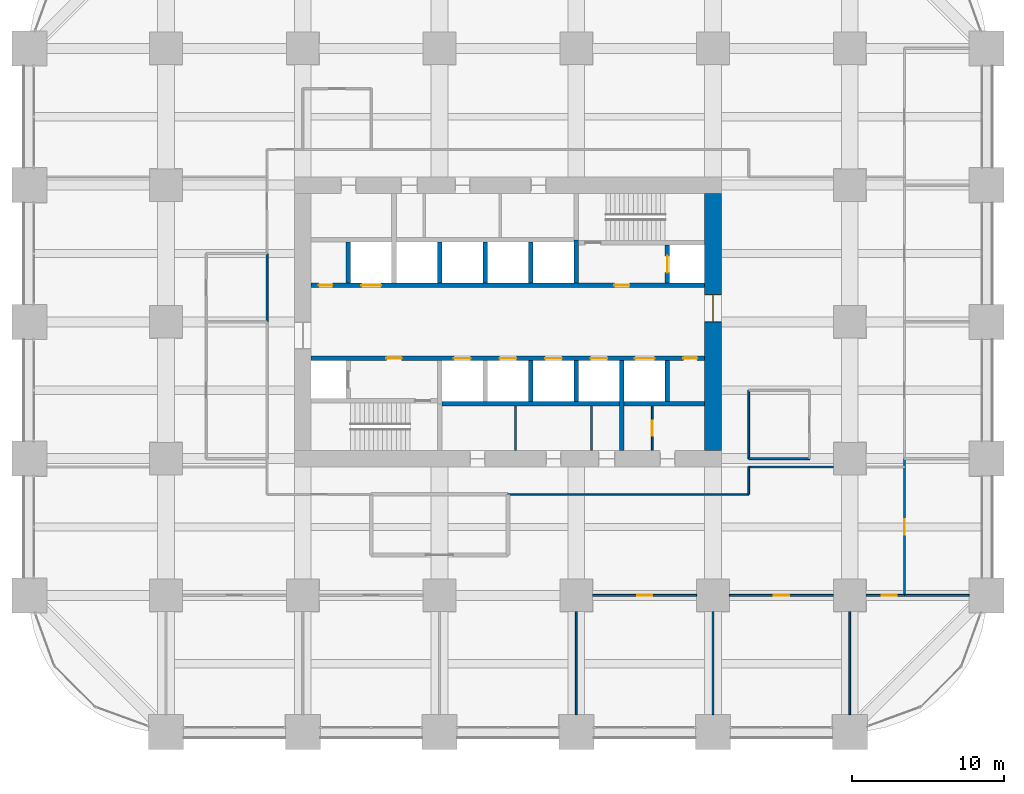
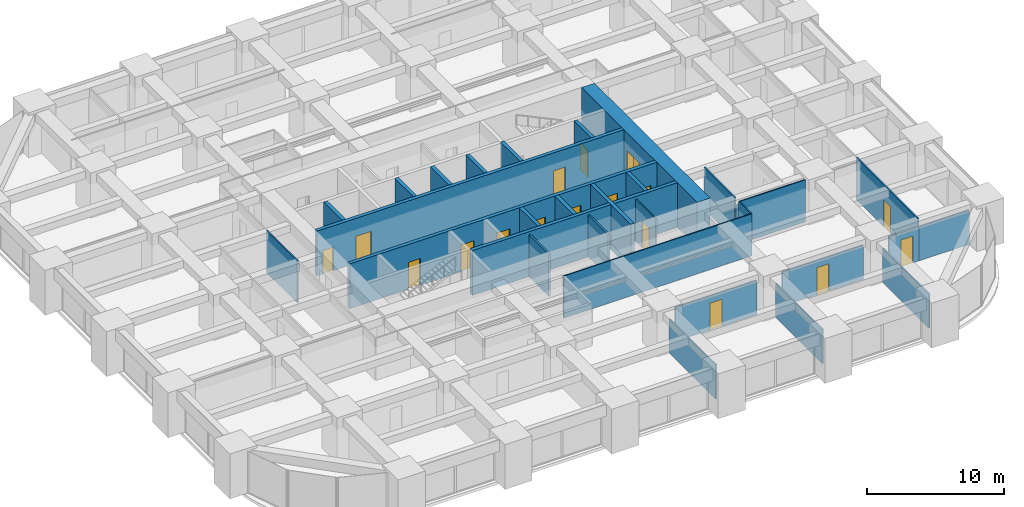
# One storey, part 40 of 44: 31 walls, 17 doors, 17 openings.
"""IFC4 building model written with IfcOpenShell, lengths in metres."""

from ifc_helpers import new_model, si_unit, direction, frame, frame_2d, origin, place, context, subcontext, project, spatial, rectangle, extrude, material, layer, layer_set, type_object, element, fill, save


model = new_model("IFC4")

# Units and contexts
model_context = context("Model", 3, precision=1e-05, world=origin(), true_north=direction((0.0, 1.0)))
body_context = subcontext(model_context, "Body", "Model", "MODEL_VIEW")
ifc_project = project(units=[si_unit("LENGTHUNIT", "METRE"), si_unit("AREAUNIT", "SQUARE_METRE"), si_unit("VOLUMEUNIT", "CUBIC_METRE"), si_unit("PLANEANGLEUNIT", "RADIAN"), si_unit("MASSUNIT", "GRAM", prefix="KILO")], contexts=[model_context])

# Site, building, storey
site_placement = place(None, origin())
site = spatial("IfcSite", under=ifc_project, at=site_placement, CompositionType="ELEMENT")
building_placement = place(site_placement, origin())
building = spatial("IfcBuilding", under=site, at=building_placement, Name="Zorevar Civic Tower", CompositionType="ELEMENT")
storey_placement = place(building_placement, frame((0.0, 0.0, 51.800048828125)))
storey = spatial("IfcBuildingStorey", under=building, at=storey_placement, Name="L12", CompositionType="ELEMENT", Elevation=51.800048828125)

# Wall, opening, door
ifc_material_1 = material(Name="Concrete C50/60", Category="concrete")
ifc_layer_1 = layer(ifc_material_1, 1.10009765625)
ifc_layer_set_1 = layer_set([ifc_layer_1], Name="Core wall 1100")
wall_type_1 = type_object("IfcWallType", Name="Core wall 1100", PredefinedType="SHEAR", material=ifc_layer_set_1)
wall_1_placement = place(storey_placement, frame((45.0, 18.550048828125, 0.0), z_axis=(0.0, 0.0, 1.0), x_axis=(0.0, 1.0, 0.0)))
wall_1 = element("IfcWall", 1, at=wall_1_placement, inside=storey, type_object=wall_type_1, Name="Core wall E L12", PredefinedType="SHEAR", context=body_context, shape_type="SweptSolid", body=[
    extrude(rectangle(XDim=16.89990234375, YDim=1.10009765625, at=frame_2d((8.449951171875, 0.0))), origin(), (0.0, 0.0, 1.0), 4.0),
])
opening_1_placement = place(wall_1_placement, frame((8.449951171875, 0.0, 0.0)))
opening_1 = element("IfcOpeningElement", 2, at=opening_1_placement, cuts=wall_1, Name="Opening L12.02", PredefinedType="OPENING", context=body_context, shape_type="SweptSolid", body=[
    extrude(rectangle(XDim=1.800048828125, YDim=2.39990234375, at=frame_2d((0.89990234375, 1.199951171875))), frame((0.0, 0.56005859375, 0.0), z_axis=(0.0, -1.0, 0.0), x_axis=(1.0, 0.0, 0.0)), (0.0, 0.0, 1.0), 1.1201171875),
])
ifc_material_2 = material(Name="Steel door set", Category="steel")
door_type_1 = type_object("IfcDoorType", Name="Fire door FD2 1800x2400", OperationType="DOUBLE_DOOR_DOUBLE_SWING", PredefinedType="DOOR", material=ifc_material_2)
door_1_placement = place(opening_1_placement, origin())
door_1 = element("IfcDoor", 3, at=door_1_placement, inside=storey, type_object=door_type_1, Name="Door L12 01", OperationType="DOUBLE_DOOR_DOUBLE_SWING", OverallHeight=2.39990234375, OverallWidth=1.800048828125, PredefinedType="DOOR", context=body_context, shape_type="SweptSolid", body=[
    extrude(rectangle(XDim=1.800048828125, YDim=2.39990234375, at=frame_2d((0.89990234375, 1.199951171875))), frame((0.0, 0.030029296875, 0.0), z_axis=(0.0, -1.0, 0.0), x_axis=(1.0, 0.0, 0.0)), (0.0, 0.0, 1.0), 0.06005859375),
    extrude(rectangle(XDim=0.04, YDim=2.39990234375, at=frame_2d((0.02001953125, 1.199951171875))), frame((0.0, 0.5498046875, 0.0), z_axis=(0.0, -1.0, 0.0), x_axis=(1.0, 0.0, 0.0)), (0.0, 0.0, 1.0), 1.099609375),
    extrude(rectangle(XDim=0.04, YDim=2.39990234375, at=frame_2d((1.780029296875, 1.199951171875))), frame((0.0, 0.5498046875, 0.0), z_axis=(0.0, -1.0, 0.0), x_axis=(1.0, 0.0, 0.0)), (0.0, 0.0, 1.0), 1.099609375),
    extrude(rectangle(XDim=1.800048828125, YDim=0.04, at=frame_2d((0.89990234375, 2.3798828125))), frame((0.0, 0.5498046875, 0.0), z_axis=(0.0, -1.0, 0.0), x_axis=(1.0, 0.0, 0.0)), (0.0, 0.0, 1.0), 1.099609375),
])
fill(opening_1, door_1)

# Walls
ifc_material_3 = material(Name="Laminated glass in black aluminium frame", Category="aluminium")
ifc_layer_2 = layer(ifc_material_3, 0.10009765625)
ifc_layer_set_2 = layer_set([ifc_layer_2], Name="Glazed partition 100")
wall_type_2 = type_object("IfcWallType", Name="Glazed partition 100", PredefinedType="PARTITIONING", material=ifc_layer_set_2)
wall_2_placement = place(storey_placement, frame((31.5, 15.64990234375, 0.0), z_axis=(0.0, 0.0, 1.0), x_axis=(1.0, 0.0, 0.0)))
element("IfcWall", 4, at=wall_2_placement, inside=storey, type_object=wall_type_2, Name="Glazed partition 100 L12", PredefinedType="PARTITIONING", context=body_context, shape_type="SweptSolid", body=[
    extrude(rectangle(XDim=15.85009765625, YDim=0.10009765625, at=frame_2d((7.925048828125, 0.0))), origin(), (0.0, 0.0, 1.0), 3.75),
])
wall_3_placement = place(storey_placement, frame((47.35009765625, 17.449951171875, 0.0), z_axis=(0.0, 0.0, 1.0), x_axis=(1.0, 0.0, 0.0)))
element("IfcWall", 5, at=wall_3_placement, inside=storey, type_object=wall_type_2, Name="Glazed partition 100 L12", PredefinedType="PARTITIONING", context=body_context, shape_type="SweptSolid", body=[
    extrude(rectangle(XDim=5.574951171875, YDim=0.10009765625, at=frame_2d((2.78759765625, 0.0))), origin(), (0.0, 0.0, 1.0), 3.75),
])
wall_4_placement = place(storey_placement, frame((47.35009765625, 15.64990234375, 0.0), z_axis=(0.0, 0.0, 1.0), x_axis=(0.0, 1.0, 0.0)))
element("IfcWall", 6, at=wall_4_placement, inside=storey, type_object=wall_type_2, Name="Glazed partition 100 L12", PredefinedType="PARTITIONING", context=body_context, shape_type="SweptSolid", body=[
    extrude(rectangle(XDim=1.800048828125, YDim=0.10009765625, at=frame_2d((0.89990234375, 0.0))), origin(), (0.0, 0.0, 1.0), 3.75),
])

# Wall, opening, door
ifc_material_4 = material(Name="Concrete C40/50", Category="concrete")
ifc_layer_3 = layer(ifc_material_4, 0.300048828125)
ifc_layer_set_3 = layer_set([ifc_layer_3], Name="Inner core wall 300")
wall_type_3 = type_object("IfcWallType", Name="Inner core wall 300", PredefinedType="SHEAR", material=ifc_layer_set_3)
wall_5_placement = place(storey_placement, frame((42.0, 29.550048828125, 0.0), z_axis=(0.0, 0.0, 1.0), x_axis=(0.0, 1.0, 0.0)))
wall_5 = element("IfcWall", 7, at=wall_5_placement, inside=storey, type_object=wall_type_3, Name="Inner core wall N02 L12", PredefinedType="SHEAR", context=body_context, shape_type="SweptSolid", body=[
    extrude(rectangle(XDim=2.5, YDim=0.300048828125, at=frame_2d((1.25, 0.0))), origin(), (0.0, 0.0, 1.0), 4.0),
])
opening_2_placement = place(wall_5_placement, frame((0.699951171875, 0.0, 0.0)))
opening_2 = element("IfcOpeningElement", 8, at=opening_2_placement, cuts=wall_5, Name="Opening L12.FL2", PredefinedType="OPENING", context=body_context, shape_type="SweptSolid", body=[
    extrude(rectangle(XDim=1.10009765625, YDim=2.39990234375, at=frame_2d((0.550048828125, 1.199951171875))), frame((0.0, 0.159912109375, 0.0), z_axis=(0.0, -1.0, 0.0), x_axis=(1.0, 0.0, 0.0)), (0.0, 0.0, 1.0), 0.320068359375),
])
ifc_material_5 = material(Name="Steel door set", Category="steel")
door_type_2 = type_object("IfcDoorType", Name="Firefighting lift landing door LD3 1100x2400", OperationType="DOUBLE_DOOR_SLIDING", PredefinedType="DOOR", material=ifc_material_5)
door_2_placement = place(opening_2_placement, origin())
door_2 = element("IfcDoor", 9, at=door_2_placement, inside=storey, type_object=door_type_2, Name="Landing door FL2 L12", OperationType="DOUBLE_DOOR_SLIDING", OverallHeight=2.39990234375, OverallWidth=1.10009765625, PredefinedType="DOOR", context=body_context, shape_type="SweptSolid", body=[
    extrude(rectangle(XDim=1.10009765625, YDim=2.39990234375, at=frame_2d((0.550048828125, 1.199951171875))), frame((0.0, 0.030029296875, 0.0), z_axis=(0.0, -1.0, 0.0), x_axis=(1.0, 0.0, 0.0)), (0.0, 0.0, 1.0), 0.06005859375),
])
fill(opening_2, door_2)

# Wall, openings, doors
wall_6_placement = place(storey_placement, frame((18.550048828125, 24.60009765625, 0.0), z_axis=(0.0, 0.0, 1.0), x_axis=(1.0, 0.0, 0.0)))
wall_6 = element("IfcWall", 10, at=wall_6_placement, inside=storey, type_object=wall_type_3, Name="Inner core wall S03 L12", PredefinedType="SHEAR", context=body_context, shape_type="SweptSolid", body=[
    extrude(rectangle(XDim=25.89990234375, YDim=0.300048828125, at=frame_2d((12.949951171875, 0.0))), origin(), (0.0, 0.0, 1.0), 4.0),
])
opening_3_placement = place(wall_6_placement, frame((4.949951171875, 0.0, 0.0)))
opening_3 = element("IfcOpeningElement", 11, at=opening_3_placement, cuts=wall_6, Name="Opening L12.13", PredefinedType="OPENING", context=body_context, shape_type="SweptSolid", body=[
    extrude(rectangle(XDim=1.0, YDim=2.39990234375, at=frame_2d((0.5, 1.199951171875))), frame((0.0, 0.159912109375, 0.0), z_axis=(0.0, -1.0, 0.0), x_axis=(1.0, 0.0, 0.0)), (0.0, 0.0, 1.0), 0.320068359375),
])
opening_4_placement = place(wall_6_placement, frame((24.5, 0.0, 0.0)))
opening_4 = element("IfcOpeningElement", 12, at=opening_4_placement, cuts=wall_6, Name="Opening L12.15", PredefinedType="OPENING", context=body_context, shape_type="SweptSolid", body=[
    extrude(rectangle(XDim=0.89990234375, YDim=2.10009765625, at=frame_2d((0.449951171875, 1.050048828125))), frame((0.0, 0.159912109375, 0.0), z_axis=(0.0, -1.0, 0.0), x_axis=(1.0, 0.0, 0.0)), (0.0, 0.0, 1.0), 0.320068359375),
])
opening_5_placement = place(wall_6_placement, frame((9.39990234375, 0.0, 0.0)))
opening_5 = element("IfcOpeningElement", 13, at=opening_5_placement, cuts=wall_6, Name="Opening L12.LP1", PredefinedType="OPENING", context=body_context, shape_type="SweptSolid", body=[
    extrude(rectangle(XDim=1.10009765625, YDim=2.39990234375, at=frame_2d((0.550048828125, 1.199951171875))), frame((0.0, 0.159912109375, 0.0), z_axis=(0.0, -1.0, 0.0), x_axis=(1.0, 0.0, 0.0)), (0.0, 0.0, 1.0), 0.320068359375),
])
opening_6_placement = place(wall_6_placement, frame((12.39990234375, 0.0, 0.0)))
opening_6 = element("IfcOpeningElement", 14, at=opening_6_placement, cuts=wall_6, Name="Opening L12.LP2", PredefinedType="OPENING", context=body_context, shape_type="SweptSolid", body=[
    extrude(rectangle(XDim=1.10009765625, YDim=2.39990234375, at=frame_2d((0.550048828125, 1.199951171875))), frame((0.0, 0.159912109375, 0.0), z_axis=(0.0, -1.0, 0.0), x_axis=(1.0, 0.0, 0.0)), (0.0, 0.0, 1.0), 0.320068359375),
])
opening_7_placement = place(wall_6_placement, frame((15.39990234375, 0.0, 0.0)))
opening_7 = element("IfcOpeningElement", 15, at=opening_7_placement, cuts=wall_6, Name="Opening L12.LP3", PredefinedType="OPENING", context=body_context, shape_type="SweptSolid", body=[
    extrude(rectangle(XDim=1.10009765625, YDim=2.39990234375, at=frame_2d((0.550048828125, 1.199951171875))), frame((0.0, 0.159912109375, 0.0), z_axis=(0.0, -1.0, 0.0), x_axis=(1.0, 0.0, 0.0)), (0.0, 0.0, 1.0), 0.320068359375),
])
opening_8_placement = place(wall_6_placement, frame((18.39990234375, 0.0, 0.0)))
opening_8 = element("IfcOpeningElement", 16, at=opening_8_placement, cuts=wall_6, Name="Opening L12.LP4", PredefinedType="OPENING", context=body_context, shape_type="SweptSolid", body=[
    extrude(rectangle(XDim=1.10009765625, YDim=2.39990234375, at=frame_2d((0.550048828125, 1.199951171875))), frame((0.0, 0.159912109375, 0.0), z_axis=(0.0, -1.0, 0.0), x_axis=(1.0, 0.0, 0.0)), (0.0, 0.0, 1.0), 0.320068359375),
])
opening_9_placement = place(wall_6_placement, frame((21.300048828125, 0.0, 0.0)))
opening_9 = element("IfcOpeningElement", 17, at=opening_9_placement, cuts=wall_6, Name="Opening L12.SL1", PredefinedType="OPENING", context=body_context, shape_type="SweptSolid", body=[
    extrude(rectangle(XDim=1.300048828125, YDim=2.39990234375, at=frame_2d((0.64990234375, 1.199951171875))), frame((0.0, 0.159912109375, 0.0), z_axis=(0.0, -1.0, 0.0), x_axis=(1.0, 0.0, 0.0)), (0.0, 0.0, 1.0), 0.320068359375),
])
ifc_material_6 = material(Name="Steel door set", Category="steel")
door_type_3 = type_object("IfcDoorType", Name="Fire door FD1 1000x2400", OperationType="SINGLE_SWING_LEFT", PredefinedType="DOOR", material=ifc_material_6)
door_3_placement = place(opening_3_placement, origin())
door_3 = element("IfcDoor", 18, at=door_3_placement, inside=storey, type_object=door_type_3, Name="Door L12 12", OperationType="SINGLE_SWING_RIGHT", OverallHeight=2.39990234375, OverallWidth=1.0, PredefinedType="DOOR", context=body_context, shape_type="SweptSolid", body=[
    extrude(rectangle(XDim=1.0, YDim=2.39990234375, at=frame_2d((0.5, 1.199951171875))), frame((0.0, 0.030029296875, 0.0), z_axis=(0.0, -1.0, 0.0), x_axis=(1.0, 0.0, 0.0)), (0.0, 0.0, 1.0), 0.06005859375),
])
fill(opening_3, door_3)
ifc_material_7 = material(Name="Steel door set", Category="steel")
door_type_4 = type_object("IfcDoorType", Name="Landing door LD1 1100x2400", OperationType="DOUBLE_DOOR_SLIDING", PredefinedType="DOOR", material=ifc_material_7)
door_4_placement = place(opening_5_placement, origin())
door_4 = element("IfcDoor", 19, at=door_4_placement, inside=storey, type_object=door_type_4, Name="Landing door LP1 L12", OperationType="DOUBLE_DOOR_SLIDING", OverallHeight=2.39990234375, OverallWidth=1.10009765625, PredefinedType="DOOR", context=body_context, shape_type="SweptSolid", body=[
    extrude(rectangle(XDim=1.10009765625, YDim=2.39990234375, at=frame_2d((0.550048828125, 1.199951171875))), frame((0.0, 0.02001953125, 0.0), z_axis=(0.0, -1.0, 0.0), x_axis=(1.0, 0.0, 0.0)), (0.0, 0.0, 1.0), 0.0400390625),
])
fill(opening_5, door_4)
door_5_placement = place(opening_6_placement, origin())
door_5 = element("IfcDoor", 20, at=door_5_placement, inside=storey, type_object=door_type_4, Name="Landing door LP2 L12", OperationType="DOUBLE_DOOR_SLIDING", OverallHeight=2.39990234375, OverallWidth=1.10009765625, PredefinedType="DOOR", context=body_context, shape_type="SweptSolid", body=[
    extrude(rectangle(XDim=1.10009765625, YDim=2.39990234375, at=frame_2d((0.550048828125, 1.199951171875))), frame((0.0, 0.02001953125, 0.0), z_axis=(0.0, -1.0, 0.0), x_axis=(1.0, 0.0, 0.0)), (0.0, 0.0, 1.0), 0.0400390625),
])
fill(opening_6, door_5)
door_6_placement = place(opening_7_placement, origin())
door_6 = element("IfcDoor", 21, at=door_6_placement, inside=storey, type_object=door_type_4, Name="Landing door LP3 L12", OperationType="DOUBLE_DOOR_SLIDING", OverallHeight=2.39990234375, OverallWidth=1.10009765625, PredefinedType="DOOR", context=body_context, shape_type="SweptSolid", body=[
    extrude(rectangle(XDim=1.10009765625, YDim=2.39990234375, at=frame_2d((0.550048828125, 1.199951171875))), frame((0.0, 0.02001953125, 0.0), z_axis=(0.0, -1.0, 0.0), x_axis=(1.0, 0.0, 0.0)), (0.0, 0.0, 1.0), 0.0400390625),
])
fill(opening_7, door_6)
door_7_placement = place(opening_8_placement, origin())
door_7 = element("IfcDoor", 22, at=door_7_placement, inside=storey, type_object=door_type_4, Name="Landing door LP4 L12", OperationType="DOUBLE_DOOR_SLIDING", OverallHeight=2.39990234375, OverallWidth=1.10009765625, PredefinedType="DOOR", context=body_context, shape_type="SweptSolid", body=[
    extrude(rectangle(XDim=1.10009765625, YDim=2.39990234375, at=frame_2d((0.550048828125, 1.199951171875))), frame((0.0, 0.02001953125, 0.0), z_axis=(0.0, -1.0, 0.0), x_axis=(1.0, 0.0, 0.0)), (0.0, 0.0, 1.0), 0.0400390625),
])
fill(opening_8, door_7)
ifc_material_8 = material(Name="Steel door set", Category="steel")
door_type_5 = type_object("IfcDoorType", Name="Landing door LD2 1300x2400", OperationType="DOUBLE_DOOR_SLIDING", PredefinedType="DOOR", material=ifc_material_8)
door_8_placement = place(opening_9_placement, origin())
door_8 = element("IfcDoor", 23, at=door_8_placement, inside=storey, type_object=door_type_5, Name="Landing door SL1 L12", OperationType="DOUBLE_DOOR_SLIDING", OverallHeight=2.39990234375, OverallWidth=1.300048828125, PredefinedType="DOOR", context=body_context, shape_type="SweptSolid", body=[
    extrude(rectangle(XDim=1.300048828125, YDim=2.39990234375, at=frame_2d((0.64990234375, 1.199951171875))), frame((0.0, 0.02001953125, 0.0), z_axis=(0.0, -1.0, 0.0), x_axis=(1.0, 0.0, 0.0)), (0.0, 0.0, 1.0), 0.0400390625),
])
fill(opening_9, door_8)
ifc_material_9 = material(Name="Steel door set", Category="steel")
door_type_6 = type_object("IfcDoorType", Name="Riser door RD1 900x2100", OperationType="SINGLE_SWING_LEFT", PredefinedType="DOOR", material=ifc_material_9)
door_9_placement = place(opening_4_placement, origin())
door_9 = element("IfcDoor", 24, at=door_9_placement, inside=storey, type_object=door_type_6, Name="Door L12 14", OperationType="SINGLE_SWING_RIGHT", OverallHeight=2.10009765625, OverallWidth=0.89990234375, PredefinedType="DOOR", context=body_context, shape_type="SweptSolid", body=[
    extrude(rectangle(XDim=0.89990234375, YDim=2.10009765625, at=frame_2d((0.449951171875, 1.050048828125))), frame((0.0, 0.030029296875, 0.0), z_axis=(0.0, -1.0, 0.0), x_axis=(1.0, 0.0, 0.0)), (0.0, 0.0, 1.0), 0.06005859375),
])
fill(opening_4, door_9)

wall_7_placement = place(storey_placement, frame((18.550048828125, 29.39990234375, 0.0), z_axis=(0.0, 0.0, 1.0), x_axis=(1.0, 0.0, 0.0)))
wall_7 = element("IfcWall", 25, at=wall_7_placement, inside=storey, type_object=wall_type_3, Name="Inner core wall N03 L12", PredefinedType="SHEAR", context=body_context, shape_type="SweptSolid", body=[
    extrude(rectangle(XDim=25.89990234375, YDim=0.300048828125, at=frame_2d((12.949951171875, 0.0))), origin(), (0.0, 0.0, 1.0), 4.0),
])
opening_10_placement = place(wall_7_placement, frame((19.949951171875, 0.0, 0.0)))
opening_10 = element("IfcOpeningElement", 26, at=opening_10_placement, cuts=wall_7, Name="Opening L12.14", PredefinedType="OPENING", context=body_context, shape_type="SweptSolid", body=[
    extrude(rectangle(XDim=1.0, YDim=2.39990234375, at=frame_2d((0.5, 1.199951171875))), frame((0.0, 0.159912109375, 0.0), z_axis=(0.0, -1.0, 0.0), x_axis=(1.0, 0.0, 0.0)), (0.0, 0.0, 1.0), 0.320068359375),
])
opening_11_placement = place(wall_7_placement, frame((0.5, 0.0, 0.0)))
opening_11 = element("IfcOpeningElement", 27, at=opening_11_placement, cuts=wall_7, Name="Opening L12.16", PredefinedType="OPENING", context=body_context, shape_type="SweptSolid", body=[
    extrude(rectangle(XDim=0.89990234375, YDim=2.10009765625, at=frame_2d((0.449951171875, 1.050048828125))), frame((0.0, 0.159912109375, 0.0), z_axis=(0.0, -1.0, 0.0), x_axis=(1.0, 0.0, 0.0)), (0.0, 0.0, 1.0), 0.320068359375),
])
opening_12_placement = place(wall_7_placement, frame((3.300048828125, 0.0, 0.0)))
opening_12 = element("IfcOpeningElement", 28, at=opening_12_placement, cuts=wall_7, Name="Opening L12.SL2", PredefinedType="OPENING", context=body_context, shape_type="SweptSolid", body=[
    extrude(rectangle(XDim=1.300048828125, YDim=2.39990234375, at=frame_2d((0.64990234375, 1.199951171875))), frame((0.0, 0.159912109375, 0.0), z_axis=(0.0, -1.0, 0.0), x_axis=(1.0, 0.0, 0.0)), (0.0, 0.0, 1.0), 0.320068359375),
])
door_10_placement = place(opening_10_placement, origin())
door_10 = element("IfcDoor", 29, at=door_10_placement, inside=storey, type_object=door_type_3, Name="Door L12 13", OperationType="SINGLE_SWING_RIGHT", OverallHeight=2.39990234375, OverallWidth=1.0, PredefinedType="DOOR", context=body_context, shape_type="SweptSolid", body=[
    extrude(rectangle(XDim=1.0, YDim=2.39990234375, at=frame_2d((0.5, 1.199951171875))), frame((0.0, 0.030029296875, 0.0), z_axis=(0.0, -1.0, 0.0), x_axis=(1.0, 0.0, 0.0)), (0.0, 0.0, 1.0), 0.06005859375),
])
fill(opening_10, door_10)
door_11_placement = place(opening_12_placement, origin())
door_11 = element("IfcDoor", 30, at=door_11_placement, inside=storey, type_object=door_type_5, Name="Landing door SL2 L12", OperationType="DOUBLE_DOOR_SLIDING", OverallHeight=2.39990234375, OverallWidth=1.300048828125, PredefinedType="DOOR", context=body_context, shape_type="SweptSolid", body=[
    extrude(rectangle(XDim=1.300048828125, YDim=2.39990234375, at=frame_2d((0.64990234375, 1.199951171875))), frame((0.0, 0.02001953125, 0.0), z_axis=(0.0, -1.0, 0.0), x_axis=(1.0, 0.0, 0.0)), (0.0, 0.0, 1.0), 0.0400390625),
])
fill(opening_12, door_11)
door_12_placement = place(opening_11_placement, origin())
door_12 = element("IfcDoor", 31, at=door_12_placement, inside=storey, type_object=door_type_6, Name="Door L12 15", OperationType="SINGLE_SWING_RIGHT", OverallHeight=2.10009765625, OverallWidth=0.89990234375, PredefinedType="DOOR", context=body_context, shape_type="SweptSolid", body=[
    extrude(rectangle(XDim=0.89990234375, YDim=2.10009765625, at=frame_2d((0.449951171875, 1.050048828125))), frame((0.0, 0.030029296875, 0.0), z_axis=(0.0, -1.0, 0.0), x_axis=(1.0, 0.0, 0.0)), (0.0, 0.0, 1.0), 0.06005859375),
])
fill(opening_11, door_12)

# Walls
wall_8_placement = place(storey_placement, frame((27.14990234375, 21.60009765625, 0.0), z_axis=(0.0, 0.0, 1.0), x_axis=(1.0, 0.0, 0.0)))
element("IfcWall", 32, at=wall_8_placement, inside=storey, type_object=wall_type_3, Name="Inner core wall S04 L12", PredefinedType="SHEAR", context=body_context, shape_type="SweptSolid", body=[
    extrude(rectangle(XDim=17.300048828125, YDim=0.300048828125, at=frame_2d((8.64990234375, 0.0))), origin(), (0.0, 0.0, 1.0), 4.0),
])
for number, where, z_axis, x_axis, name in (
    (33, (33.0, 29.550048828125, 0.0), (0.0, 0.0, 1.0), (0.0, 1.0, 0.0), "Inner core wall N05 L12"),
    (34, (33.0, 21.75, 0.0), (0.0, 0.0, 1.0), (0.0, 1.0, 0.0), "Inner core wall S06 L12"),
    (35, (30.0, 29.550048828125, 0.0), (0.0, 0.0, 1.0), (0.0, 1.0, 0.0), "Inner core wall N06 L12"),
    (36, (36.0, 21.75, 0.0), (0.0, 0.0, 1.0), (0.0, 1.0, 0.0), "Inner core wall S07 L12"),
    (37, (27.0, 29.550048828125, 0.0), (0.0, 0.0, 1.0), (0.0, 1.0, 0.0), "Inner core wall N07 L12"),
):
    element("IfcWall", number, at=place(storey_placement, frame(where, z_axis=z_axis, x_axis=x_axis)), inside=storey, type_object=wall_type_3, Name=name, PredefinedType="SHEAR", context=body_context, shape_type="SweptSolid", body=[
        extrude(rectangle(XDim=2.699951171875, YDim=0.300048828125, at=frame_2d((1.35009765625, 0.0))), origin(), (0.0, 0.0, 1.0), 4.0),
    ])
wall_9_placement = place(storey_placement, frame((39.0, 18.550048828125, 0.0), z_axis=(0.0, 0.0, 1.0), x_axis=(0.0, 1.0, 0.0)))
element("IfcWall", 38, at=wall_9_placement, inside=storey, type_object=wall_type_3, Name="Inner core wall S08 L12", PredefinedType="SHEAR", context=body_context, shape_type="SweptSolid", body=[
    extrude(rectangle(XDim=5.89990234375, YDim=0.300048828125, at=frame_2d((2.949951171875, 0.0))), origin(), (0.0, 0.0, 1.0), 4.0),
])
for number, where, z_axis, x_axis, name in (
    (39, (42.0, 21.75, 0.0), (0.0, 0.0, 1.0), (0.0, 1.0, 0.0), "Inner core wall S09 L12"),
    (40, (21.0, 29.550048828125, 0.0), (0.0, 0.0, 1.0), (0.0, 1.0, 0.0), "Inner core wall N09 L12"),
):
    element("IfcWall", number, at=place(storey_placement, frame(where, z_axis=z_axis, x_axis=x_axis)), inside=storey, type_object=wall_type_3, Name=name, PredefinedType="SHEAR", context=body_context, shape_type="SweptSolid", body=[
        extrude(rectangle(XDim=2.699951171875, YDim=0.300048828125, at=frame_2d((1.35009765625, 0.0))), origin(), (0.0, 0.0, 1.0), 4.0),
    ])
wall_10_placement = place(storey_placement, frame((36.0, 29.550048828125, 0.0), z_axis=(0.0, 0.0, 1.0), x_axis=(0.0, 1.0, 0.0)))
element("IfcWall", 41, at=wall_10_placement, inside=storey, type_object=wall_type_3, Name="Inner core wall N10 L12", PredefinedType="SHEAR", context=body_context, shape_type="SweptSolid", body=[
    extrude(rectangle(XDim=2.849853515625, YDim=0.300048828125, at=frame_2d((1.4248046875, 0.0))), origin(), (0.0, 0.0, 1.0), 4.0),
])

# Wall, opening, door
ifc_material_10 = material(Name="Gypsum board on steel studs", Category="steel")
ifc_layer_4 = layer(ifc_material_10, 0.1201171875)
ifc_layer_set_4 = layer_set([ifc_layer_4], Name="Partition 120")
wall_type_4 = type_object("IfcWallType", Name="Partition 120", PredefinedType="PARTITIONING", material=ifc_layer_set_4)
wall_11_placement = place(storey_placement, frame((37.074951171875, 9.0, 0.0), z_axis=(0.0, 0.0, 1.0), x_axis=(1.0, 0.0, 0.0)))
wall_11 = element("IfcWall", 42, at=wall_11_placement, inside=storey, type_object=wall_type_4, Name="Partition 120 L12", PredefinedType="PARTITIONING", context=body_context, shape_type="SweptSolid", body=[
    extrude(rectangle(XDim=6.85009765625, YDim=0.1201171875, at=frame_2d((3.425048828125, 0.0))), origin(), (0.0, 0.0, 1.0), 3.050048828125),
])
opening_13_placement = place(wall_11_placement, frame((2.925048828125, 0.0, 0.0)))
opening_13 = element("IfcOpeningElement", 43, at=opening_13_placement, cuts=wall_11, Name="Opening L12.19", PredefinedType="OPENING", context=body_context, shape_type="SweptSolid", body=[
    extrude(rectangle(XDim=1.0, YDim=2.39990234375, at=frame_2d((0.5, 1.199951171875))), frame((0.0, 0.070068359375, 0.0), z_axis=(0.0, -1.0, 0.0), x_axis=(1.0, 0.0, 0.0)), (0.0, 0.0, 1.0), 0.14013671875),
])
ifc_material_11 = material(Name="Timber door set", Category="wood")
door_type_7 = type_object("IfcDoorType", Name="Door D1 1000x2400", OperationType="SINGLE_SWING_LEFT", PredefinedType="DOOR", material=ifc_material_11)
door_13_placement = place(opening_13_placement, origin())
door_13 = element("IfcDoor", 44, at=door_13_placement, inside=storey, type_object=door_type_7, Name="Door L12 D1", OperationType="SINGLE_SWING_RIGHT", OverallHeight=2.39990234375, OverallWidth=1.0, PredefinedType="DOOR", context=body_context, shape_type="SweptSolid", body=[
    extrude(rectangle(XDim=1.0, YDim=2.39990234375, at=frame_2d((0.5, 1.199951171875))), frame((0.0, 0.02490234375, 0.0), z_axis=(0.0, -1.0, 0.0), x_axis=(1.0, 0.0, 0.0)), (0.0, 0.0, 1.0), 0.050048828125),
])
fill(opening_13, door_13)

wall_12_placement = place(storey_placement, frame((46.074951171875, 9.0, 0.0), z_axis=(0.0, 0.0, 1.0), x_axis=(1.0, 0.0, 0.0)))
wall_12 = element("IfcWall", 45, at=wall_12_placement, inside=storey, type_object=wall_type_4, Name="Partition 120 L12", PredefinedType="PARTITIONING", context=body_context, shape_type="SweptSolid", body=[
    extrude(rectangle(XDim=6.85009765625, YDim=0.1201171875, at=frame_2d((3.425048828125, 0.0))), origin(), (0.0, 0.0, 1.0), 3.050048828125),
])
opening_14_placement = place(wall_12_placement, frame((2.925048828125, 0.0, 0.0)))
opening_14 = element("IfcOpeningElement", 46, at=opening_14_placement, cuts=wall_12, Name="Opening L12.20", PredefinedType="OPENING", context=body_context, shape_type="SweptSolid", body=[
    extrude(rectangle(XDim=1.0, YDim=2.39990234375, at=frame_2d((0.5, 1.199951171875))), frame((0.0, 0.070068359375, 0.0), z_axis=(0.0, -1.0, 0.0), x_axis=(1.0, 0.0, 0.0)), (0.0, 0.0, 1.0), 0.14013671875),
])
door_14_placement = place(opening_14_placement, origin())
door_14 = element("IfcDoor", 47, at=door_14_placement, inside=storey, type_object=door_type_7, Name="Door L12 D1", OperationType="SINGLE_SWING_LEFT", OverallHeight=2.39990234375, OverallWidth=1.0, PredefinedType="DOOR", context=body_context, shape_type="SweptSolid", body=[
    extrude(rectangle(XDim=1.0, YDim=2.39990234375, at=frame_2d((0.5, 1.199951171875))), frame((0.0, 0.02490234375, 0.0), z_axis=(0.0, -1.0, 0.0), x_axis=(1.0, 0.0, 0.0)), (0.0, 0.0, 1.0), 0.050048828125),
])
fill(opening_14, door_14)

# Wall
wall_13_placement = place(storey_placement, frame((57.60009765625, 9.0, 0.0), z_axis=(0.0, 0.0, 1.0), x_axis=(1.0, 0.0, 0.0)))
element("IfcWall", 48, at=wall_13_placement, inside=storey, type_object=wall_type_4, Name="Partition 120 L12", PredefinedType="PARTITIONING", context=body_context, shape_type="SweptSolid", body=[
    extrude(rectangle(XDim=4.25, YDim=0.1201171875, at=frame_2d((2.125, 0.0))), origin(), (0.0, 0.0, 1.0), 3.050048828125),
])

# Wall, opening, door
wall_14_placement = place(storey_placement, frame((55.074951171875, 9.0, 0.0), z_axis=(0.0, 0.0, 1.0), x_axis=(1.0, 0.0, 0.0)))
wall_14 = element("IfcWall", 49, at=wall_14_placement, inside=storey, type_object=wall_type_4, Name="Partition 120 L12", PredefinedType="PARTITIONING", context=body_context, shape_type="SweptSolid", body=[
    extrude(rectangle(XDim=2.525146484375, YDim=0.1201171875, at=frame_2d((1.2626953125, 0.0))), origin(), (0.0, 0.0, 1.0), 3.050048828125),
])
opening_15_placement = place(wall_14_placement, frame((1.02490234375, 0.0, 0.0)))
opening_15 = element("IfcOpeningElement", 50, at=opening_15_placement, cuts=wall_14, Name="Opening L12.21", PredefinedType="OPENING", context=body_context, shape_type="SweptSolid", body=[
    extrude(rectangle(XDim=1.0, YDim=2.39990234375, at=frame_2d((0.5, 1.199951171875))), frame((0.0, 0.070068359375, 0.0), z_axis=(0.0, -1.0, 0.0), x_axis=(1.0, 0.0, 0.0)), (0.0, 0.0, 1.0), 0.14013671875),
])
door_15_placement = place(opening_15_placement, origin())
door_15 = element("IfcDoor", 51, at=door_15_placement, inside=storey, type_object=door_type_7, Name="Door L12 D1", OperationType="SINGLE_SWING_LEFT", OverallHeight=2.39990234375, OverallWidth=1.0, PredefinedType="DOOR", context=body_context, shape_type="SweptSolid", body=[
    extrude(rectangle(XDim=1.0, YDim=2.39990234375, at=frame_2d((0.5, 1.199951171875))), frame((0.0, 0.02490234375, 0.0), z_axis=(0.0, -1.0, 0.0), x_axis=(1.0, 0.0, 0.0)), (0.0, 0.0, 1.0), 0.050048828125),
])
fill(opening_15, door_15)

# Walls
wall_15_placement = place(storey_placement, frame((47.35009765625, 18.0, 0.0), z_axis=(0.0, 0.0, 1.0), x_axis=(1.0, 0.0, 0.0)))
element("IfcWall", 52, at=wall_15_placement, inside=storey, type_object=wall_type_4, Name="Partition 120 L12", PredefinedType="PARTITIONING", context=body_context, shape_type="SweptSolid", body=[
    extrude(rectangle(XDim=4.0, YDim=0.1201171875, at=frame_2d((2.0, 0.0))), origin(), (0.0, 0.0, 1.0), 3.050048828125),
])
wall_16_placement = place(storey_placement, frame((15.64990234375, 27.0, 0.0), z_axis=(0.0, 0.0, 1.0), x_axis=(0.0, 1.0, 0.0)))
element("IfcWall", 53, at=wall_16_placement, inside=storey, type_object=wall_type_4, Name="Partition 120 L12", PredefinedType="PARTITIONING", context=body_context, shape_type="SweptSolid", body=[
    extrude(rectangle(XDim=4.5, YDim=0.1201171875, at=frame_2d((2.25, 0.0))), origin(), (0.0, 0.0, 1.0), 3.75),
])
for number, where, z_axis, x_axis, name in (
    (54, (36.0, 1.14990234375, 0.0), (0.0, 0.0, 1.0), (0.0, 1.0, 0.0), "Partition 120 L12"),
    (55, (45.0, 1.14990234375, 0.0), (0.0, 0.0, 1.0), (0.0, 1.0, 0.0), "Partition 120 L12"),
):
    element("IfcWall", number, at=place(storey_placement, frame(where, z_axis=z_axis, x_axis=x_axis)), inside=storey, type_object=wall_type_4, Name=name, PredefinedType="PARTITIONING", context=body_context, shape_type="SweptSolid", body=[
        extrude(rectangle(XDim=6.775146484375, YDim=0.1201171875, at=frame_2d((3.3876953125, 0.0))), origin(), (0.0, 0.0, 1.0), 3.050048828125),
    ])
wall_17_placement = place(storey_placement, frame((47.35009765625, 18.0, 0.0), z_axis=(0.0, 0.0, 1.0), x_axis=(0.0, 1.0, 0.0)))
element("IfcWall", 56, at=wall_17_placement, inside=storey, type_object=wall_type_4, Name="Partition 120 L12", PredefinedType="PARTITIONING", context=body_context, shape_type="SweptSolid", body=[
    extrude(rectangle(XDim=4.5, YDim=0.1201171875, at=frame_2d((2.25, 0.0))), origin(), (0.0, 0.0, 1.0), 3.75),
])
wall_18_placement = place(storey_placement, frame((54.0, 1.14990234375, 0.0), z_axis=(0.0, 0.0, 1.0), x_axis=(0.0, 1.0, 0.0)))
element("IfcWall", 57, at=wall_18_placement, inside=storey, type_object=wall_type_4, Name="Partition 120 L12", PredefinedType="PARTITIONING", context=body_context, shape_type="SweptSolid", body=[
    extrude(rectangle(XDim=6.775146484375, YDim=0.1201171875, at=frame_2d((3.3876953125, 0.0))), origin(), (0.0, 0.0, 1.0), 3.050048828125),
])

# Wall, opening, door
wall_19_placement = place(storey_placement, frame((57.60009765625, 9.0, 0.0), z_axis=(0.0, 0.0, 1.0), x_axis=(0.0, 1.0, 0.0)))
wall_19 = element("IfcWall", 58, at=wall_19_placement, inside=storey, type_object=wall_type_4, Name="Partition 120 L12", PredefinedType="PARTITIONING", context=body_context, shape_type="SweptSolid", body=[
    extrude(rectangle(XDim=9.0, YDim=0.1201171875, at=frame_2d((4.5, 0.0))), origin(), (0.0, 0.0, 1.0), 3.75),
])
opening_16_placement = place(wall_19_placement, frame((4.0, 0.0, 0.0)))
opening_16 = element("IfcOpeningElement", 59, at=opening_16_placement, cuts=wall_19, Name="Opening L12.37", PredefinedType="OPENING", context=body_context, shape_type="SweptSolid", body=[
    extrude(rectangle(XDim=1.0, YDim=2.39990234375, at=frame_2d((0.5, 1.199951171875))), frame((0.0, 0.070068359375, 0.0), z_axis=(0.0, -1.0, 0.0), x_axis=(1.0, 0.0, 0.0)), (0.0, 0.0, 1.0), 0.14013671875),
])
door_16_placement = place(opening_16_placement, origin())
door_16 = element("IfcDoor", 60, at=door_16_placement, inside=storey, type_object=door_type_7, Name="Door L12 D1", OperationType="SINGLE_SWING_LEFT", OverallHeight=2.39990234375, OverallWidth=1.0, PredefinedType="DOOR", context=body_context, shape_type="SweptSolid", body=[
    extrude(rectangle(XDim=1.0, YDim=2.39990234375, at=frame_2d((0.5, 1.199951171875))), frame((0.0, 0.02490234375, 0.0), z_axis=(0.0, -1.0, 0.0), x_axis=(1.0, 0.0, 0.0)), (0.0, 0.0, 1.0), 0.050048828125),
])
fill(opening_16, door_16)

wall_20_placement = place(storey_placement, frame((41.0, 18.550048828125, 0.0), z_axis=(0.0, 0.0, 1.0), x_axis=(0.0, 1.0, 0.0)))
wall_20 = element("IfcWall", 61, at=wall_20_placement, inside=storey, type_object=wall_type_4, Name="Partition L12", PredefinedType="PARTITIONING", context=body_context, shape_type="SweptSolid", body=[
    extrude(rectangle(XDim=2.89990234375, YDim=0.1201171875, at=frame_2d((1.449951171875, 0.0))), origin(), (0.0, 0.0, 1.0), 3.75),
])
opening_17_placement = place(wall_20_placement, frame((0.949951171875, 0.0, 0.0)))
opening_17 = element("IfcOpeningElement", 62, at=opening_17_placement, cuts=wall_20, Name="Opening L12.41", PredefinedType="OPENING", context=body_context, shape_type="SweptSolid", body=[
    extrude(rectangle(XDim=1.0, YDim=2.39990234375, at=frame_2d((0.5, 1.199951171875))), frame((0.0, 0.070068359375, 0.0), z_axis=(0.0, -1.0, 0.0), x_axis=(1.0, 0.0, 0.0)), (0.0, 0.0, 1.0), 0.14013671875),
])
door_17_placement = place(opening_17_placement, origin())
door_17 = element("IfcDoor", 63, at=door_17_placement, inside=storey, type_object=door_type_3, Name="Door L12 ES", OperationType="SINGLE_SWING_LEFT", OverallHeight=2.39990234375, OverallWidth=1.0, PredefinedType="DOOR", context=body_context, shape_type="SweptSolid", body=[
    extrude(rectangle(XDim=1.0, YDim=2.39990234375, at=frame_2d((0.5, 1.199951171875))), frame((0.0, 0.030029296875, 0.0), z_axis=(0.0, -1.0, 0.0), x_axis=(1.0, 0.0, 0.0)), (0.0, 0.0, 1.0), 0.06005859375),
])
fill(opening_17, door_17)

# Walls
ifc_material_12 = material(Name="Gypsum board on steel studs, moisture resistant", Category="steel")
ifc_layer_5 = layer(ifc_material_12, 0.14990234375)
ifc_layer_set_5 = layer_set([ifc_layer_5], Name="WC partition 150")
wall_type_5 = type_object("IfcWallType", Name="WC partition 150", PredefinedType="PARTITIONING", material=ifc_layer_set_5)
for number, where, z_axis, x_axis, name in (
    (64, (32.0, 18.550048828125, 0.0), (0.0, 0.0, 1.0), (0.0, 1.0, 0.0), "WC partition L12"),
    (65, (37.0, 18.550048828125, 0.0), (0.0, 0.0, 1.0), (0.0, 1.0, 0.0), "WC partition L12"),
):
    element("IfcWall", number, at=place(storey_placement, frame(where, z_axis=z_axis, x_axis=x_axis)), inside=storey, type_object=wall_type_5, Name=name, PredefinedType="PARTITIONING", context=body_context, shape_type="SweptSolid", body=[
        extrude(rectangle(XDim=2.89990234375, YDim=0.14990234375, at=frame_2d((1.449951171875, 0.0))), origin(), (0.0, 0.0, 1.0), 3.75),
    ])

save(model, "model.ifc")
